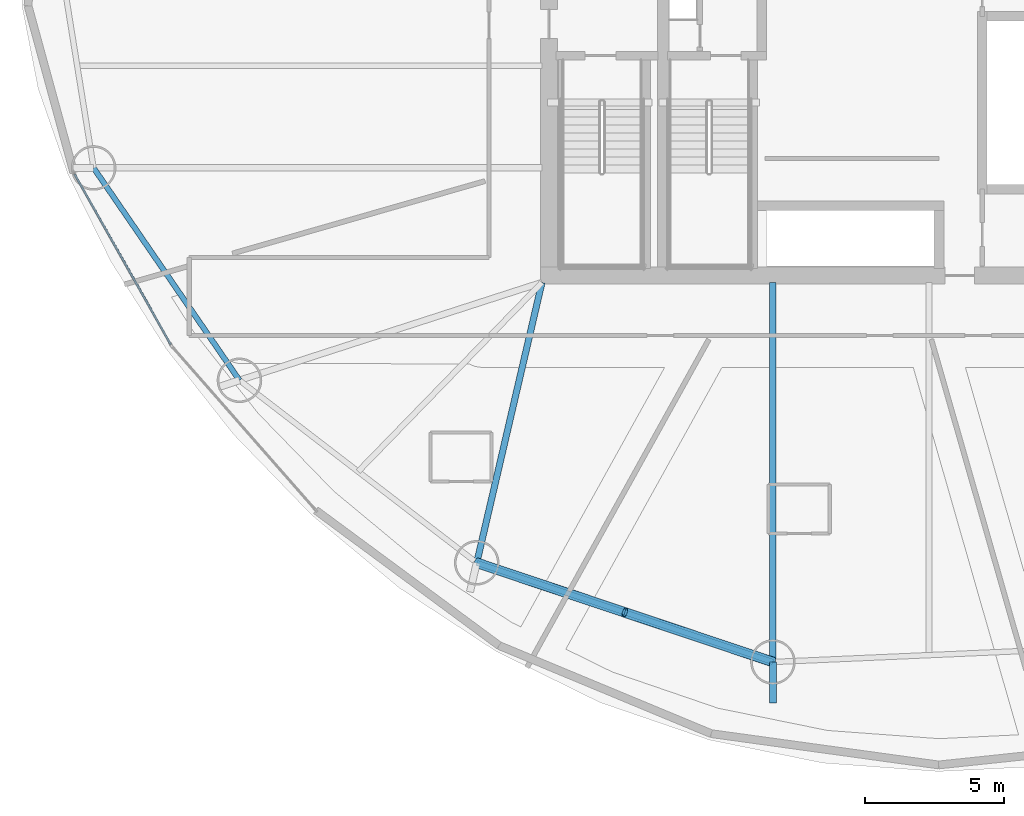
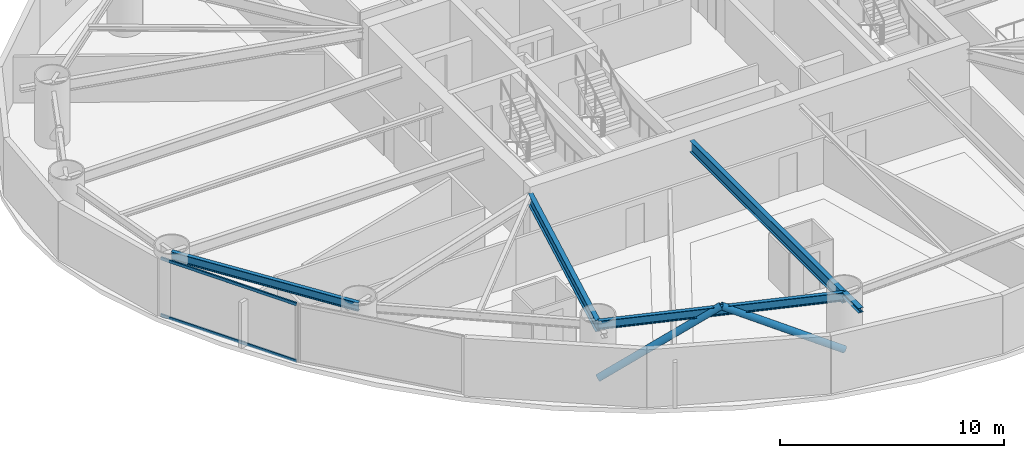
# One storey, part 3 of 25: 5 beams, 4 members, 1 element without a shape of its own.
"""IFC4 building model written with IfcOpenShell, lengths in metres."""

from ifc_helpers import new_model, si_unit, direction, frame, origin, origin_2d, place, context, subcontext, project, spatial, hollow_rectangle, hollow_circle, i_section, extrude, material, layer, layer_set, material_profile, profile_set, type_object, element, aggregate, save


model = new_model("IFC4")

# Units and contexts
model_context = context("Model", 3, precision=1e-05, world=origin(), true_north=direction((0.0, 1.0)))
body_context = subcontext(model_context, "Body", "Model", "MODEL_VIEW")
ifc_project = project(units=[si_unit("LENGTHUNIT", "METRE"), si_unit("AREAUNIT", "SQUARE_METRE"), si_unit("VOLUMEUNIT", "CUBIC_METRE"), si_unit("PLANEANGLEUNIT", "RADIAN"), si_unit("MASSUNIT", "GRAM", prefix="KILO")], contexts=[model_context])

# Site, building, storey
site_placement = place(None, origin())
site = spatial("IfcSite", under=ifc_project, at=site_placement, CompositionType="ELEMENT")
building_placement = place(site_placement, origin())
building = spatial("IfcBuilding", under=site, at=building_placement, Name="Bramvorn Convention Spire", CompositionType="ELEMENT")
storey_placement = place(building_placement, frame((0.0, 0.0, 93.89990234375)))
storey = spatial("IfcBuildingStorey", under=building, at=storey_placement, Name="L22", CompositionType="ELEMENT", Elevation=93.89990234375)

# Beams
ifc_material_1 = material(Name="Steel CSA G40.21 Grade 350 (350W)", Category="steel")
ifc_material_profile_1 = material_profile(ifc_material_1, i_section(OverallWidth=0.25390625, OverallDepth=0.2529296875, WebThickness=0.008544921875, FlangeThickness=0.01416015625, FilletRadius=0.011962890625, at=origin_2d()))
ifc_profile_set_1 = profile_set([ifc_material_profile_1], Name="Steel CSA G40.21 Grade 350 (350W) - W250X73")
beam_type_1 = type_object("IfcBeamType", Name="BM-W250X73", PredefinedType="BEAM", material=ifc_profile_set_1)
beam_1_placement = place(storey_placement, frame((35.0390625, 4.93115234375, 3.023681640625), z_axis=(0.0, -1.0, 0.0), x_axis=(1.0, 0.0, 0.0)))
element("IfcBeam", 1, at=beam_1_placement, inside=storey, type_object=beam_type_1, Name="L22 slab-edge cantilever tip beam MC13", PredefinedType="BEAM", context=body_context, shape_type="SweptSolid", body=[
    extrude(i_section(OverallWidth=0.25390625, OverallDepth=0.2529296875, WebThickness=0.008544921875, FlangeThickness=0.01416015625, FilletRadius=0.011962890625, at=origin_2d()), origin(), (0.0, 0.0, 1.0), 1.478759765625),
])
ifc_material_profile_2 = material_profile(ifc_material_1, i_section(OverallWidth=0.194091796875, OverallDepth=0.468994140625, WebThickness=0.0126953125, FlangeThickness=0.0205078125, FilletRadius=0.01806640625, at=origin_2d()))
ifc_profile_set_2 = profile_set([ifc_material_profile_2], Name="Steel CSA G40.21 Grade 350 (350W) - W460X106")
beam_type_2 = type_object("IfcBeamType", Name="BM-W460X106", PredefinedType="SPANDREL", material=ifc_profile_set_2)
beam_2_placement = place(storey_placement, frame((10.661376953125, 22.659912109375, 2.91552734375), z_axis=(0.566129730789, -0.824316157743, 0.0), x_axis=(0.824316157743, 0.566129730789, 0.0)))
element("IfcBeam", 2, at=beam_2_placement, inside=storey, type_object=beam_type_2, Name="L22 mega-column ring beam 10", PredefinedType="SPANDREL", context=body_context, shape_type="SweptSolid", body=[
    extrude(i_section(OverallWidth=0.194091796875, OverallDepth=0.468994140625, WebThickness=0.0126953125, FlangeThickness=0.0205078125, FilletRadius=0.01806640625, at=origin_2d()), origin(), (0.0, 0.0, 1.0), 9.244140625),
])
beam_3_placement = place(storey_placement, frame((24.40966796875, 8.490966796875, 2.91552734375), z_axis=(0.948235872727, -0.317566890078, 0.0), x_axis=(0.317566890078, 0.948235872727, 0.0)))
element("IfcBeam", 3, at=beam_3_placement, inside=storey, type_object=beam_type_2, Name="L22 mega-column ring beam 12", PredefinedType="SPANDREL", context=body_context, shape_type="SweptSolid", body=[
    extrude(i_section(OverallWidth=0.194091796875, OverallDepth=0.468994140625, WebThickness=0.0126953125, FlangeThickness=0.0205078125, FilletRadius=0.01806640625, at=origin_2d()), origin(), (0.0, 0.0, 1.0), 11.209716796875),
])
ifc_material_profile_3 = material_profile(ifc_material_1, i_section(OverallWidth=0.22998046875, OverallDepth=0.616943359375, WebThickness=0.01318359375, FlangeThickness=0.022216796875, FilletRadius=0.02001953125, at=origin_2d()))
ifc_profile_set_3 = profile_set([ifc_material_profile_3], Name="Steel CSA G40.21 Grade 350 (350W) - W610X140")
beam_type_3 = type_object("IfcBeamType", Name="BM-W610X140", PredefinedType="BEAM", material=ifc_profile_set_3)
beam_4_placement = place(storey_placement, frame((26.75, 18.550048828125, 2.841552734375), z_axis=(-0.226606328522, -0.973986433106, 0.0), x_axis=(0.973986433106, -0.226606328522, 0.0)))
element("IfcBeam", 4, at=beam_4_placement, inside=storey, type_object=beam_type_3, Name="L22 radial floor girder MC12", PredefinedType="BEAM", context=body_context, shape_type="SweptSolid", body=[
    extrude(i_section(OverallWidth=0.22998046875, OverallDepth=0.616943359375, WebThickness=0.01318359375, FlangeThickness=0.022216796875, FilletRadius=0.02001953125, at=origin_2d()), origin(), (0.0, 0.0, 1.0), 10.32763671875),
])
beam_5_placement = place(storey_placement, frame((35.0390625, 18.550048828125, 2.841552734375), z_axis=(0.0, -1.0, 0.0), x_axis=(1.0, 0.0, 0.0)))
element("IfcBeam", 5, at=beam_5_placement, inside=storey, type_object=beam_type_3, Name="L22 radial floor girder MC13", PredefinedType="BEAM", context=body_context, shape_type="SweptSolid", body=[
    extrude(i_section(OverallWidth=0.22998046875, OverallDepth=0.616943359375, WebThickness=0.01318359375, FlangeThickness=0.022216796875, FilletRadius=0.02001953125, at=origin_2d()), origin(), (0.0, 0.0, 1.0), 13.618896484375),
])

# Curtain wall, members
ifc_material_2 = material(Name="Anodised Bronze Unitised Curtain Wall", Category="aluminium")
ifc_layer = layer(ifc_material_2, 0.179931640625)
ifc_layer_set = layer_set([ifc_layer], Name="Anodised Bronze Unitised Curtain Wall - CW-HTL-FRIT")
curtain_wall_type = type_object("IfcCurtainWallType", Name="CW-HTL-FRIT", PredefinedType="USERDEFINED", material=ifc_layer_set)
curtain_wall_placement = place(storey_placement, origin())
curtain_wall = element("IfcCurtainWall", 6, at=curtain_wall_placement, inside=storey, type_object=curtain_wall_type, Name="L22 fritted glass curtain wall 15", ObjectType="UNITISED CURTAIN WALL", PredefinedType="USERDEFINED")
ifc_material_3 = material(Name="Anodised Bronze Aluminium 6063-T6", Category="aluminium")
ifc_material_profile_4 = material_profile(ifc_material_3, hollow_rectangle(XDim=0.080078125, YDim=0.159912109375, WallThickness=0.00390625, InnerFilletRadius=0.0009765625, OuterFilletRadius=0.00390625, at=origin_2d()))
ifc_profile_set_4 = profile_set([ifc_material_profile_4], Name="Anodised Bronze Aluminium 6063-T6 - CWT80X160")
member_type_1 = type_object("IfcMemberType", Name="CW-TRN-150", PredefinedType="USERDEFINED", material=ifc_profile_set_4)
member_1_placement = place(storey_placement, frame((13.43017578125, 16.321044921875, 0.030029296875), z_axis=(-0.491455745557, 0.870902549175, 0.0), x_axis=(-0.870902549175, -0.491455745557, 0.0)))
member_1 = element("IfcMember", 7, at=member_1_placement, type_object=member_type_1, Name="CW2 transom 1.1", ObjectType="TRANSOM", PredefinedType="USERDEFINED", context=body_context, shape_type="SweptSolid", body=[
    extrude(hollow_rectangle(XDim=0.080078125, YDim=0.159912109375, WallThickness=0.00390625, InnerFilletRadius=0.0009765625, OuterFilletRadius=0.00390625, at=origin_2d()), origin(), (0.0, 0.0, 1.0), 7.02294921875),
])
member_2_placement = place(storey_placement, frame((13.43017578125, 16.321044921875, 3.1201171875), z_axis=(-0.491455745557, 0.870902549175, 0.0), x_axis=(-0.870902549175, -0.491455745557, 0.0)))
member_2 = element("IfcMember", 8, at=member_2_placement, type_object=member_type_1, Name="CW2 transom 1.2", ObjectType="TRANSOM", PredefinedType="USERDEFINED", context=body_context, shape_type="SweptSolid", body=[
    extrude(hollow_rectangle(XDim=0.080078125, YDim=0.159912109375, WallThickness=0.00390625, InnerFilletRadius=0.0009765625, OuterFilletRadius=0.00390625, at=origin_2d()), origin(), (0.0, 0.0, 1.0), 7.02294921875),
])
aggregate(curtain_wall, [member_1, member_2])

# Members
ifc_material_profile_5 = material_profile(ifc_material_1, hollow_circle(Radius=0.177734375, WallThickness=0.015869140625, at=origin_2d()))
ifc_profile_set_5 = profile_set([ifc_material_profile_5], Name="Steel CSA G40.21 Grade 350 (350W) - CHS356X16")
member_type_2 = type_object("IfcMemberType", Name="MBR-CHS356X16", PredefinedType="BRACE", material=ifc_profile_set_5)
for number, where, z_axis, x_axis, name in (
    (9, (24.40966796875, 8.490966796875, 0.0), (0.826616645923, -0.276855251294, 0.489955192353), (0.31758647294, 0.948229314146, 0.0), "L22 perimeter Gothic lancet brace 12A"),
    (10, (35.0390625, 4.93115234375, 0.0), (-0.82662533552, 0.276820189073, 0.489960342883), (-0.31754730681, -0.948242430994, 0.0), "L22 perimeter Gothic lancet brace 12B"),
):
    element("IfcMember", number, at=place(storey_placement, frame(where, z_axis=z_axis, x_axis=x_axis)), inside=storey, type_object=member_type_2, Name=name, PredefinedType="BRACE", context=body_context, shape_type="SweptSolid", body=[
        extrude(hollow_circle(Radius=0.177734375, WallThickness=0.015869140625, at=origin_2d()), origin(), (0.0, 0.0, 1.0), 6.429443359375),
    ])

save(model, "model.ifc")
